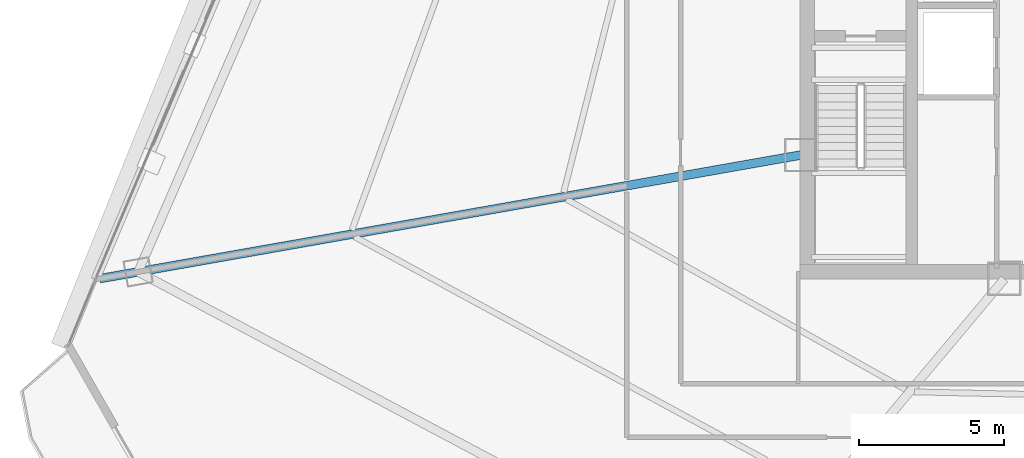
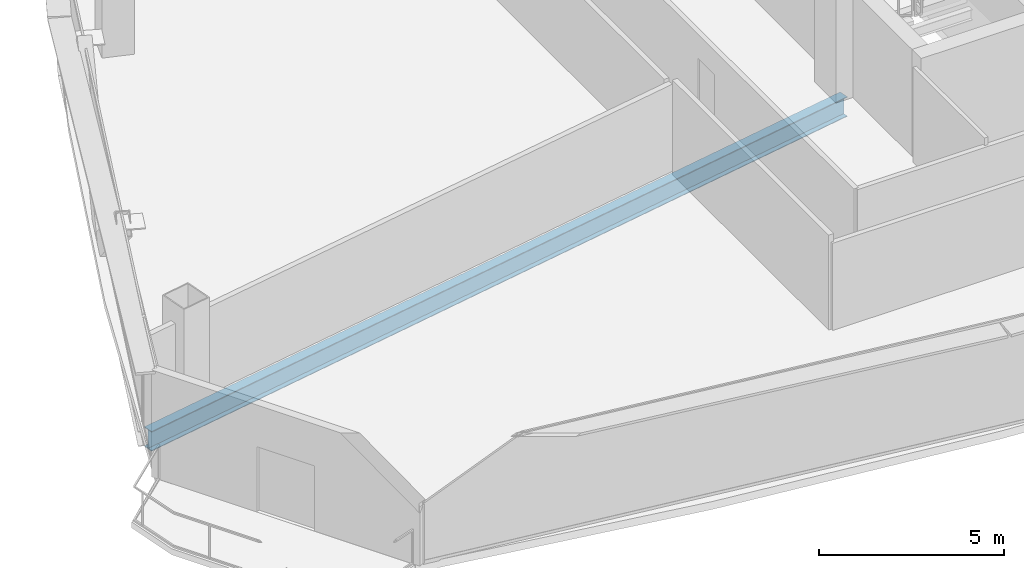
# One storey, part 5 of 36: 1 beam.
"""IFC4 building model written with IfcOpenShell, lengths in metres."""

import ifcopenshell
import ifcopenshell.guid

model = None  # the IFC model being written
_history = None  # IfcOwnerHistory: only IFC2X3 demands one
_inside = {}  # id of a spatial element -> (the spatial element, [elements in it])
_under = {}  # id of a project, library or spatial element -> (it, [spatial elements below it])
_declared = {}  # id of a project -> (the project, [libraries it declares])
_typed = {}  # id of a type object -> (the type object, [elements of that type])
_made_of = {}  # id of a material, layer set ... -> (it, [elements and type objects made of it])


def new_model(schema):
    """Start an empty IFC model of exactly this schema.

    Asked for "IFC4X3", IfcOpenShell would pick the latest addendum, in which some entities
    have other attributes; the version numbers below select the first issue.
    IFC2X3 requires an IfcOwnerHistory on every rooted entity: one is made here for all.
    """
    global model, _history
    if schema == "IFC4X3":
        model = ifcopenshell.file(schema_version=(4, 3, 0, 0))
    else:
        model = ifcopenshell.file(schema=schema)
    _inside.clear()
    _under.clear()
    _declared.clear()
    _typed.clear()
    _made_of.clear()
    _history = None
    if model.schema == "IFC2X3":
        org = make("IfcOrganization", Name="unknown")
        user = make(
            "IfcPersonAndOrganization",
            ThePerson=make("IfcPerson", FamilyName="unknown"),
            TheOrganization=org,
        )
        app = make(
            "IfcApplication",
            ApplicationDeveloper=org,
            Version="unknown",
            ApplicationFullName="unknown",
            ApplicationIdentifier="unknown",
        )
        _history = make(
            "IfcOwnerHistory",
            OwningUser=user,
            OwningApplication=app,
            ChangeAction="ADDED",
            CreationDate=0,
        )
    return model


def make(cls, **values):
    """One entity of the class cls with the attributes given. An attribute that is None is left unset."""
    return model.create_entity(
        cls, **{name: value for name, value in values.items() if value is not None}
    )


def rooted(cls, **values):
    """An entity with a GlobalId (a new one), such as an element, a storey or a relation."""
    return make(cls, GlobalId=ifcopenshell.guid.new(), OwnerHistory=_history, **values)


def si_unit(unit_type, name, prefix=None):
    """IfcSIUnit, for example si_unit("LENGTHUNIT", "METRE", prefix="MILLI")."""
    return make("IfcSIUnit", UnitType=unit_type, Prefix=prefix, Name=name)


def assignment(units):
    """IfcUnitAssignment: the units of a project."""
    return None if units is None else make("IfcUnitAssignment", Units=units)


def point(xyz):
    """IfcCartesianPoint."""
    return None if xyz is None else make("IfcCartesianPoint", Coordinates=xyz)


def direction(xyz):
    """IfcDirection."""
    return None if xyz is None else make("IfcDirection", DirectionRatios=xyz)


def frame(location, z_axis=None, x_axis=None):
    """IfcAxis2Placement3D, a coordinate frame: its origin and axes. An axis left out is left unset."""
    return make(
        "IfcAxis2Placement3D",
        Location=point(location),
        Axis=direction(z_axis),
        RefDirection=direction(x_axis),
    )


def frame_2d(location, x_axis=None):
    """IfcAxis2Placement2D, a coordinate frame in the plane: its origin and x axis."""
    return make(
        "IfcAxis2Placement2D", Location=point(location), RefDirection=direction(x_axis)
    )


def origin():
    """The frame at (0, 0, 0) with its axes left unset."""
    return frame((0.0, 0.0, 0.0))


def origin_2d():
    """The frame at (0, 0) in the plane with its x axis left unset."""
    return frame_2d((0.0, 0.0))


def place(relative_to, where):
    """IfcLocalPlacement: puts the frame where relative to a parent placement (None: the world)."""
    return make(
        "IfcLocalPlacement", PlacementRelTo=relative_to, RelativePlacement=where
    )


def context(
    kind, dimensions, precision=None, world=None, true_north=None, identifier=None
):
    """IfcGeometricRepresentationContext, for example the 3D "Model" context."""
    return make(
        "IfcGeometricRepresentationContext",
        ContextIdentifier=identifier,
        ContextType=kind,
        CoordinateSpaceDimension=dimensions,
        Precision=precision,
        WorldCoordinateSystem=world,
        TrueNorth=true_north,
    )


def subcontext(parent, identifier, kind, view, scale=None):
    """IfcGeometricRepresentationSubContext, for example "Body" below "Model"."""
    return make(
        "IfcGeometricRepresentationSubContext",
        ContextIdentifier=identifier,
        ContextType=kind,
        ParentContext=parent,
        TargetScale=scale,
        TargetView=view,
    )


def project(units=None, contexts=None):
    """IfcProject with its units and contexts."""
    return rooted(
        "IfcProject",
        Name="project",
        RepresentationContexts=contexts,
        UnitsInContext=assignment(units),
    )


def spatial(cls, under=None, at=None, **own):
    """A site, building, storey or space (cls), placed at a placement, below another one or the project."""
    s = rooted(cls, ObjectPlacement=at, **own)
    if under is not None:
        _under.setdefault(under.id(), (under, []))[1].append(s)
    return s


def profile(cls, at=None, kind="AREA", **sizes):
    """A parametric profile (cls). Its sizes go by their IFC names, for example OverallWidth=200.0."""
    return make(cls, ProfileType=kind, Position=at, **sizes)


def i_section(**sizes):
    """IfcIShapeProfileDef."""
    return profile("IfcIShapeProfileDef", **sizes)


def extrude(swept, where, along, depth):
    """IfcExtrudedAreaSolid: the profile swept, set in the frame where, extruded along a direction by depth."""
    return make(
        "IfcExtrudedAreaSolid",
        SweptArea=swept,
        Position=where,
        ExtrudedDirection=direction(along),
        Depth=depth,
    )


def shape(context_of_items, identifier, shape_type, items):
    """IfcShapeRepresentation: the items that make up one representation, for example the "Body"."""
    return make(
        "IfcShapeRepresentation",
        ContextOfItems=context_of_items,
        RepresentationIdentifier=identifier,
        RepresentationType=shape_type,
        Items=items,
    )


def source(mapping_origin, context_of_items, identifier, shape_type, items):
    """IfcRepresentationMap: a shape defined once, which mapped items show again and again."""
    return make(
        "IfcRepresentationMap",
        MappingOrigin=mapping_origin,
        MappedRepresentation=shape(context_of_items, identifier, shape_type, items),
    )


def transform(
    local_origin,
    x_axis=None,
    y_axis=None,
    z_axis=None,
    scale=None,
    scale2=None,
    scale3=None,
    uniform=True,
):
    """IfcCartesianTransformationOperator3D, or its non-uniform kind. x_axis, y_axis, z_axis: its Axis1, 2, 3."""
    if uniform:
        return make(
            "IfcCartesianTransformationOperator3D",
            Axis1=direction(x_axis),
            Axis2=direction(y_axis),
            LocalOrigin=point(local_origin),
            Scale=scale,
            Axis3=direction(z_axis),
        )
    return make(
        "IfcCartesianTransformationOperator3DnonUniform",
        Axis1=direction(x_axis),
        Axis2=direction(y_axis),
        LocalOrigin=point(local_origin),
        Scale=scale,
        Axis3=direction(z_axis),
        Scale2=scale2,
        Scale3=scale3,
    )


def mapped(mapping_source, mapping_target):
    """IfcMappedItem: shows the shape of a source again, moved by a transform."""
    return make(
        "IfcMappedItem", MappingSource=mapping_source, MappingTarget=mapping_target
    )


def material(Name=None, Category=None):
    """IfcMaterial."""
    return make("IfcMaterial", Name=Name, Category=Category)


def material_profile(
    of_material, cross_section, Name=None, Category=None, Priority=None
):
    """IfcMaterialProfile: a cross section and its material."""
    return make(
        "IfcMaterialProfile",
        Name=Name,
        Material=of_material,
        Profile=cross_section,
        Priority=Priority,
        Category=Category,
    )


def profile_set(profiles, Name=None, composite=None):
    """IfcMaterialProfileSet."""
    return make(
        "IfcMaterialProfileSet",
        Name=Name,
        MaterialProfiles=profiles,
        CompositeProfile=composite,
    )


def made_of(thing, what):
    """Note that an element or type object is made of a material, layer set ...; save() writes the relation."""
    if what is not None:
        _made_of.setdefault(what.id(), (what, []))[1].append(thing)
    return thing


def type_object(cls, material=None, **own):
    """A type object (cls), such as IfcWallType, which elements share."""
    return made_of(rooted(cls, **own), material)


def element(
    cls,
    number,
    at=None,
    inside=None,
    cuts=None,
    type_object=None,
    material=None,
    context=None,
    identifier="Body",
    shape_type=None,
    held_by="IfcProductDefinitionShape",
    body=None,
    shapes=None,
    **own,
):
    """One element of the class cls, such as IfcWall. Its Tag is "e" and its number.

    at: its placement. inside: the storey or other place that contains it. cuts: it is an
    opening in that element (IfcRelVoidsElement). A single representation is given by context,
    identifier, shape_type and body (its items); several are given by shapes. held_by: the class
    of the entity that holds the representations. save() writes the other relations.
    """
    e = rooted(cls, Tag="e%d" % number, ObjectPlacement=at, **own)
    if body is not None:
        shapes = [shape(context, identifier, shape_type, body)]
    if shapes is not None:
        e.Representation = make(held_by, Representations=shapes)
    if inside is not None:
        _inside.setdefault(inside.id(), (inside, []))[1].append(e)
    if cuts is not None:
        rooted(
            "IfcRelVoidsElement", RelatingBuildingElement=cuts, RelatedOpeningElement=e
        )
    if type_object is not None:
        _typed.setdefault(type_object.id(), (type_object, []))[1].append(e)
    return made_of(e, material)


def aggregate(whole, parts):
    """IfcRelAggregates: a whole, such as a stair, and the parts it consists of."""
    return rooted("IfcRelAggregates", RelatingObject=whole, RelatedObjects=parts)


def save(model, path):
    """Write the relations noted so far, then the file.

    IfcRelAggregates (storeys below a building ...), IfcRelContainedInSpatialStructure (elements
    in a storey), IfcRelDefinesByType, IfcRelAssociatesMaterial and IfcRelDeclares: one each for
    every whole, place, type object, material and project.
    """
    for whole, parts in _under.values():
        aggregate(whole, parts)
    for where, things in _inside.values():
        rooted(
            "IfcRelContainedInSpatialStructure",
            RelatedElements=things,
            RelatingStructure=where,
        )
    for kind, things in _typed.values():
        rooted("IfcRelDefinesByType", RelatedObjects=things, RelatingType=kind)
    for what, things in _made_of.values():
        rooted("IfcRelAssociatesMaterial", RelatedObjects=things, RelatingMaterial=what)
    for by, libraries in _declared.values():
        rooted("IfcRelDeclares", RelatingContext=by, RelatedDefinitions=libraries)
    model.write(path)


model = new_model("IFC4")

# Units and contexts
model_context = context("Model", 3, precision=1e-05, world=origin(), true_north=direction((0.0, 1.0)))
body_context = subcontext(model_context, "Body", "Model", "MODEL_VIEW")
ifc_project = project(units=[si_unit("LENGTHUNIT", "METRE"), si_unit("AREAUNIT", "SQUARE_METRE"), si_unit("VOLUMEUNIT", "CUBIC_METRE"), si_unit("PLANEANGLEUNIT", "RADIAN"), si_unit("MASSUNIT", "GRAM", prefix="KILO"), si_unit("THERMODYNAMICTEMPERATUREUNIT", "KELVIN"), si_unit("POWERUNIT", "WATT")], contexts=[model_context])

# Site, building, storey
site_placement = place(None, origin())
site = spatial("IfcSite", under=ifc_project, at=site_placement, CompositionType="ELEMENT")
building_placement = place(site_placement, origin())
building = spatial("IfcBuilding", under=site, at=building_placement, Name="Yunzhuo Pagoda Commons", CompositionType="ELEMENT")
storey_placement = place(building_placement, frame((0.0, 0.0, 215.159912109375)))
storey = spatial("IfcBuildingStorey", under=building, at=storey_placement, Name="L54", CompositionType="ELEMENT", Elevation=215.159912109375)

# Beam
ifc_material = material(Name="Structural steel Q355B", Category="steel")
ifc_material_profile = material_profile(ifc_material, i_section(OverallWidth=0.300048828125, OverallDepth=0.64990234375, WebThickness=0.012939453125, FlangeThickness=0.02197265625, at=origin_2d()), Name="Structural steel Q355B")
ifc_profile_set = profile_set([ifc_material_profile], Name="Structural steel Q355B")
beam_type = type_object("IfcBeamType", Name="B-RG2 Beam HN 650x300x13x22", PredefinedType="BEAM", material=ifc_profile_set)
shared_shape = source(origin(), body_context, "Body", "SweptSolid", [
    extrude(i_section(OverallWidth=0.300048828125, OverallDepth=0.64990234375, WebThickness=0.012939453125, FlangeThickness=0.02197265625, at=origin_2d()), origin(), (0.0, 0.0, 1.0), 24.494873046875),
])
beam_placement = place(storey_placement, frame((11.477294921875, 27.260009765625, -0.5849609375), z_axis=(0.984808332492, 0.173644891239, 0.0), x_axis=(-0.173644891239, 0.984808332492, 0.0)))
element("IfcBeam", 1, at=beam_placement, inside=storey, type_object=beam_type, Name="L54 radial floor girder F3C4", PredefinedType="BEAM", context=body_context, shape_type="MappedRepresentation", body=[
    mapped(shared_shape, transform((0.0, 0.0, 0.0), scale=1.0)),
])

save(model, "model.ifc")
